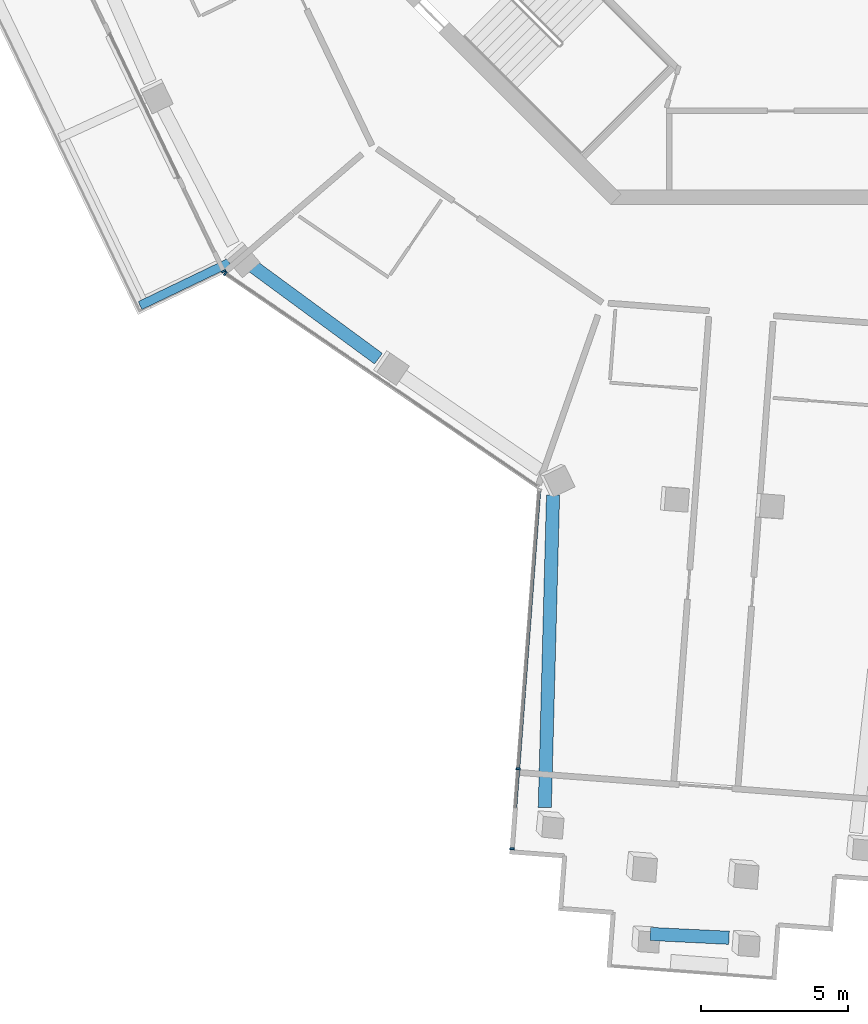
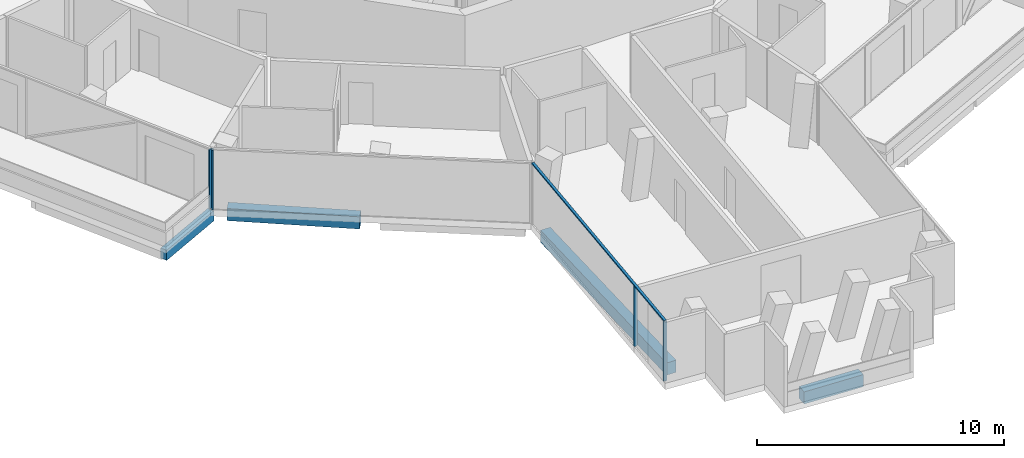
# One storey, part 2 of 23: 5 members, 4 beams, 3 elements without a shape of their own.
"""IFC4 building model written with IfcOpenShell, lengths in metres."""

from ifc_helpers import new_model, si_unit, direction, frame, origin, origin_2d, place, context, subcontext, project, spatial, rectangle, extrude, material, layer, layer_set, material_profile, profile_set, type_object, element, aggregate, save


model = new_model("IFC4")

# Units and contexts
model_context = context("Model", 3, precision=1e-05, world=origin(), true_north=direction((0.0, 1.0)))
body_context = subcontext(model_context, "Body", "Model", "MODEL_VIEW")
ifc_project = project(units=[si_unit("LENGTHUNIT", "METRE"), si_unit("AREAUNIT", "SQUARE_METRE"), si_unit("VOLUMEUNIT", "CUBIC_METRE"), si_unit("PLANEANGLEUNIT", "RADIAN"), si_unit("MASSUNIT", "GRAM", prefix="KILO")], contexts=[model_context])

# Site, building, storey
site_placement = place(None, origin())
site = spatial("IfcSite", under=ifc_project, at=site_placement, CompositionType="ELEMENT")
building_placement = place(site_placement, origin())
building = spatial("IfcBuilding", under=site, at=building_placement, Name="Verdalira Terraces Hotel", CompositionType="ELEMENT")
storey_placement = place(building_placement, frame((0.0, 0.0, 259.5)))
storey = spatial("IfcBuildingStorey", under=building, at=storey_placement, Name="L64", CompositionType="ELEMENT", Elevation=259.5)

# Beam
ifc_material_1 = material(Name="Concrete C40", Category="concrete")
ifc_material_profile_1 = material_profile(ifc_material_1, rectangle(XDim=0.300049, YDim=0.5, at=origin_2d()), Name="RC 300X500")
ifc_profile_set_1 = profile_set([ifc_material_profile_1], Name="Concrete C40")
beam_type_1 = type_object("IfcBeamType", Name="Balcony cantilever beam RC 300X500 C40", PredefinedType="BEAM", material=ifc_profile_set_1)
beam_1_placement = place(storey_placement, frame((-18.812256, -15.981445, -0.560059), z_axis=(-0.901242114, -0.433315879, 0.0), x_axis=(0.433315879, -0.901242114, 0.0)))
element("IfcBeam", 1, at=beam_1_placement, inside=storey, type_object=beam_type_1, Name="Balcony cantilever beam R11-2", PredefinedType="BEAM", context=body_context, shape_type="SweptSolid", body=[
    extrude(rectangle(XDim=0.300049, YDim=0.5, at=origin_2d()), origin(), (0.0, 0.0, 1.0), 3.378906),
])

# Curtain wall, member
ifc_material_2 = material(Name="Clear glass", Category="glass")
ifc_layer_1 = layer(ifc_material_2, 0.14990234375)
ifc_layer_set_1 = layer_set([ifc_layer_1], Name="CW1 curtain wall")
curtain_wall_type_1 = type_object("IfcCurtainWallType", Name="CW1 curtain wall", PredefinedType="NOTDEFINED", material=ifc_layer_set_1)
curtain_wall_1_placement = place(storey_placement, origin())
curtain_wall_1 = element("IfcCurtainWall", 2, at=curtain_wall_1_placement, inside=storey, type_object=curtain_wall_type_1, Name="CW1 curtain wall L64 edge 12", PredefinedType="NOTDEFINED")
ifc_material_3 = material(Name="Terracotta frame", Category="masonry")
ifc_material_profile_2 = material_profile(ifc_material_3, rectangle(XDim=0.060059, YDim=0.149902, at=origin_2d()), Name="MU 60x150")
ifc_profile_set_2 = profile_set([ifc_material_profile_2], Name="Terracotta frame")
member_type_1 = type_object("IfcMemberType", Name="CW1 mullion 60x150", PredefinedType="MULLION", material=ifc_profile_set_2)
member_1_placement = place(storey_placement, frame((-19.008301, -16.274414, 0.0), z_axis=(0.0, 0.0, 1.0), x_axis=(0.433344523, -0.901228342, 0.0)))
member_1 = element("IfcMember", 3, at=member_1_placement, type_object=member_type_1, Name="CW1 mullion", PredefinedType="MULLION", context=body_context, shape_type="SweptSolid", body=[
    extrude(rectangle(XDim=0.060059, YDim=0.149902, at=origin_2d()), origin(), (0.0, 0.0, 1.0), 2.935059),
])
aggregate(curtain_wall_1, [member_1])

curtain_wall_2_placement = place(storey_placement, origin())
curtain_wall_2 = element("IfcCurtainWall", 4, at=curtain_wall_2_placement, inside=storey, type_object=curtain_wall_type_1, Name="CW1 curtain wall L64 edge 13", PredefinedType="NOTDEFINED")
member_2_placement = place(storey_placement, frame((-18.945312, -16.3479, 0.0), z_axis=(0.0, 0.0, 1.0), x_axis=(0.825901536, -0.563814377, 0.0)))
member_2 = element("IfcMember", 5, at=member_2_placement, type_object=member_type_1, Name="CW1 mullion", PredefinedType="MULLION", context=body_context, shape_type="SweptSolid", body=[
    extrude(rectangle(XDim=0.060059, YDim=0.149902, at=origin_2d()), origin(), (0.0, 0.0, 1.0), 2.935059),
])
aggregate(curtain_wall_2, [member_2])

# Curtain wall, members
ifc_material_4 = material(Name="Clear glass", Category="glass")
ifc_layer_2 = layer(ifc_material_4, 0.14990234375)
ifc_layer_set_2 = layer_set([ifc_layer_2], Name="CW2 curtain wall")
curtain_wall_type_2 = type_object("IfcCurtainWallType", Name="CW2 curtain wall", PredefinedType="NOTDEFINED", material=ifc_layer_set_2)
curtain_wall_3_placement = place(storey_placement, origin())
curtain_wall_3 = element("IfcCurtainWall", 6, at=curtain_wall_3_placement, inside=storey, type_object=curtain_wall_type_2, Name="CW2 curtain wall L64 edge 14", PredefinedType="NOTDEFINED")
ifc_material_5 = material(Name="Terracotta frame", Category="masonry")
ifc_material_profile_3 = material_profile(ifc_material_5, rectangle(XDim=0.070068, YDim=0.149902, at=origin_2d()), Name="MU 70x150")
ifc_profile_set_3 = profile_set([ifc_material_profile_3], Name="Terracotta frame")
member_type_2 = type_object("IfcMemberType", Name="CW2 mullion 70x150", PredefinedType="MULLION", material=ifc_profile_set_3)
member_3_placement = place(storey_placement, frame((-8.955566, -33.258057, 0.0), z_axis=(0.0, 0.0, 1.0), x_axis=(-0.075326806, -0.9971589, 0.0)))
member_3 = element("IfcMember", 7, at=member_3_placement, type_object=member_type_2, Name="CW2 mullion", PredefinedType="MULLION", context=body_context, shape_type="SweptSolid", body=[
    extrude(rectangle(XDim=0.070068, YDim=0.149902, at=origin_2d()), origin(), (0.0, 0.0, 1.0), 2.935059),
])
member_4_placement = place(storey_placement, frame((-9.161621, -35.985352, 0.0), z_axis=(0.0, 0.0, 1.0), x_axis=(-0.075326806, -0.9971589, 0.0)))
member_4 = element("IfcMember", 8, at=member_4_placement, type_object=member_type_2, Name="CW2 mullion", PredefinedType="MULLION", context=body_context, shape_type="SweptSolid", body=[
    extrude(rectangle(XDim=0.070068, YDim=0.149902, at=origin_2d()), origin(), (0.0, 0.0, 1.0), 2.935059),
])
ifc_material_6 = material(Name="Terracotta frame", Category="masonry")
ifc_material_profile_4 = material_profile(ifc_material_6, rectangle(XDim=0.11499, YDim=0.064941, at=origin_2d()), Name="TR 65x115")
ifc_profile_set_4 = profile_set([ifc_material_profile_4], Name="Terracotta frame")
member_type_3 = type_object("IfcMemberType", Name="CW2 transom 65x115", PredefinedType="USERDEFINED", material=ifc_profile_set_4)
member_5_placement = place(storey_placement, frame((-8.234131, -23.705322, 2.967529), z_axis=(-0.075317751, -0.997159584, 0.0), x_axis=(0.997159584, -0.075317751, 0.0)))
member_5 = element("IfcMember", 9, at=member_5_placement, type_object=member_type_3, Name="CW2 transom", ObjectType="TRANSOM", PredefinedType="USERDEFINED", context=body_context, shape_type="SweptSolid", body=[
    extrude(rectangle(XDim=0.11499, YDim=0.064941, at=origin_2d()), origin(), (0.0, 0.0, 1.0), 12.350098),
])
aggregate(curtain_wall_3, [member_3, member_4, member_5])

# Beams
ifc_material_7 = material(Name="Concrete C40", Category="concrete")
ifc_material_profile_5 = material_profile(ifc_material_7, rectangle(XDim=0.449951, YDim=0.600098, at=origin_2d()), Name="RC 450X600")
ifc_profile_set_5 = profile_set([ifc_material_profile_5], Name="Concrete C40")
beam_type_2 = type_object("IfcBeamType", Name="Spandrel beam RC 450X600 C40", PredefinedType="SPANDREL", material=ifc_profile_set_5)
beam_2_placement = place(storey_placement, frame((-18.07251, -16.063232, -0.610107), z_axis=(0.805840843, -0.592132195, 0.0), x_axis=(0.592132195, 0.805840843, 0.0)))
element("IfcBeam", 10, at=beam_2_placement, inside=storey, type_object=beam_type_2, Name="Spandrel beam B06", PredefinedType="SPANDREL", context=body_context, shape_type="SweptSolid", body=[
    extrude(rectangle(XDim=0.449951, YDim=0.600098, at=origin_2d()), origin(), (0.0, 0.0, 1.0), 5.396729),
])
beam_3_placement = place(storey_placement, frame((-7.766602, -23.912109, -0.610107), z_axis=(-0.026346411, -0.999652873, 0.0), x_axis=(0.999652873, -0.026346411, 0.0)))
element("IfcBeam", 11, at=beam_3_placement, inside=storey, type_object=beam_type_2, Name="Spandrel beam B08", PredefinedType="SPANDREL", context=body_context, shape_type="SweptSolid", body=[
    extrude(rectangle(XDim=0.449951, YDim=0.600098, at=origin_2d()), origin(), (0.0, 0.0, 1.0), 10.665771),
])
beam_4_placement = place(storey_placement, frame((-4.450439, -38.889893, -0.610107), z_axis=(0.998795607, -0.049064599, 0.0), x_axis=(0.049064599, 0.998795607, 0.0)))
element("IfcBeam", 12, at=beam_4_placement, inside=storey, type_object=beam_type_2, Name="Spandrel beam B09", PredefinedType="SPANDREL", context=body_context, shape_type="SweptSolid", body=[
    extrude(rectangle(XDim=0.449951, YDim=0.600098, at=origin_2d()), origin(), (0.0, 0.0, 1.0), 2.691895),
])

save(model, "model.ifc")
